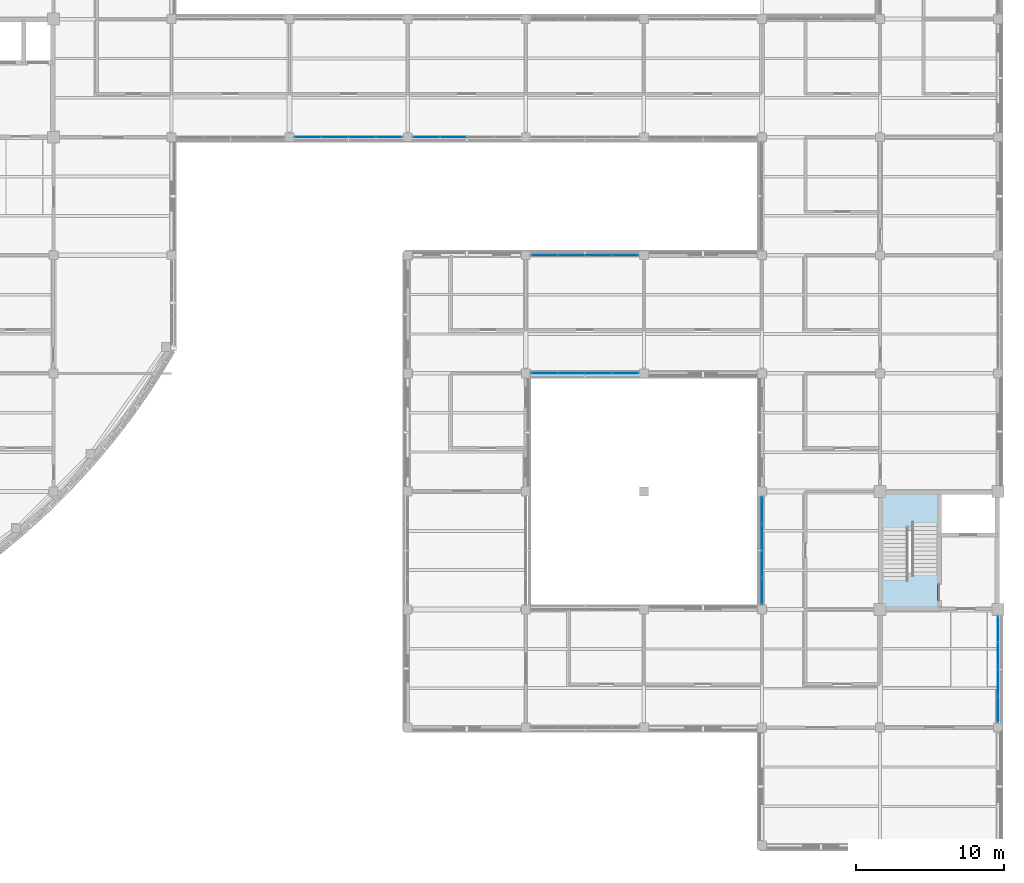
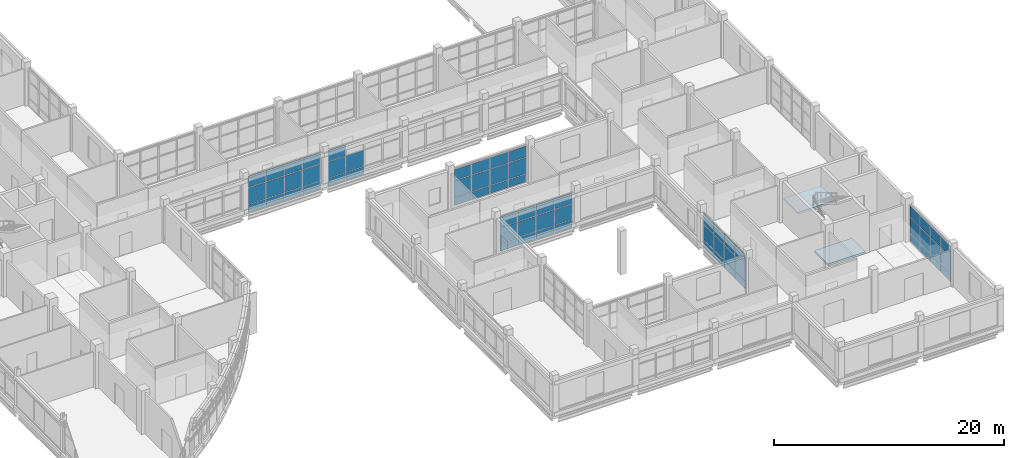
# One storey, part 69 of 121: 65 plates, 2 slabs, 7 elements without a shape of their own.
"""IFC4 building model written with IfcOpenShell, lengths in metres."""

from ifc_helpers import new_model, si_unit, derived_unit, direction, frame, origin, origin_2d, place, context, subcontext, project, spatial, polyline, rectangle, outline, extrude, material, layer, layer_set, type_object, element, aggregate, save


model = new_model("IFC4")

# Units and contexts
model_context = context("Model", 3, precision=1e-05, world=origin(), true_north=direction((0.0, 1.0)))
body_context = subcontext(model_context, "Body", "Model", "MODEL_VIEW")
ifc_project = project(units=[si_unit("LENGTHUNIT", "METRE"), si_unit("AREAUNIT", "SQUARE_METRE"), si_unit("VOLUMEUNIT", "CUBIC_METRE"), si_unit("PLANEANGLEUNIT", "RADIAN"), si_unit("MASSUNIT", "GRAM", prefix="KILO"), derived_unit("THERMALTRANSMITTANCEUNIT", [(si_unit("MASSUNIT", "GRAM", prefix="KILO"), 1), (si_unit("TIMEUNIT", "SECOND"), -3), (si_unit("THERMODYNAMICTEMPERATUREUNIT", "KELVIN"), -1)])], contexts=[model_context])

# Site, building, storey
site_placement = place(None, origin())
site = spatial("IfcSite", under=ifc_project, at=site_placement, CompositionType="ELEMENT")
building_placement = place(site_placement, origin())
building = spatial("IfcBuilding", under=site, at=building_placement, Name="Veyamyaing Civic Hall", CompositionType="ELEMENT")
storey_placement = place(building_placement, frame((0.0, 0.0, 5.280029296875)))
storey = spatial("IfcBuildingStorey", under=building, at=storey_placement, Name="L01", CompositionType="ELEMENT", Elevation=5.280029296875)

# Curtain wall, plates
ifc_material_1 = material(Name="Anodised aluminium 6063-T6", Category="aluminium")
ifc_layer_1 = layer(ifc_material_1, 0.159912109375, Name="Anodised aluminium 6063-T6")
ifc_layer_set_1 = layer_set([ifc_layer_1], Name="Anodised aluminium 6063-T6")
curtain_wall_type = type_object("IfcCurtainWallType", Name="CW-02", PredefinedType="NOTDEFINED", material=ifc_layer_set_1)
curtain_wall_1_placement = place(storey_placement, origin())
curtain_wall_1 = element("IfcCurtainWall", 1, at=curtain_wall_1_placement, inside=storey, type_object=curtain_wall_type, Name="Unitized curtain wall CW-02 L01 S 17.7", PredefinedType="NOTDEFINED")
ifc_material_2 = material(Name="Low-E insulated glass", Category="glass")
ifc_layer_2 = layer(ifc_material_2, 0.028076171875, Name="Low-E insulated glass")
ifc_layer_set_2 = layer_set([ifc_layer_2], Name="Low-E insulated glass")
plate_type_1 = type_object("IfcPlateType", Name="CWP-01", PredefinedType="CURTAIN_PANEL", material=ifc_layer_set_2)
plate_1_placement = place(storey_placement, frame((129.263671875, 48.0, 0.06494140625), z_axis=(0.0, 0.0, 1.0), x_axis=(1.0, 0.0, 0.0)))
plate_1 = element("IfcPlate", 2, at=plate_1_placement, type_object=plate_type_1, Name="CW-02 panel 1.1", PredefinedType="CURTAIN_PANEL", context=body_context, shape_type="SweptSolid", body=[
    extrude(rectangle(XDim=1.737548828125, YDim=0.028076171875, at=origin_2d()), origin(), (0.0, 0.0, 1.0), 0.802490234375),
])
plate_2_placement = place(storey_placement, frame((129.263671875, 48.0, 0.9326171875), z_axis=(0.0, 0.0, 1.0), x_axis=(1.0, 0.0, 0.0)))
plate_2 = element("IfcPlate", 3, at=plate_2_placement, type_object=plate_type_1, Name="CW-02 panel 1.2", PredefinedType="CURTAIN_PANEL", context=body_context, shape_type="SweptSolid", body=[
    extrude(rectangle(XDim=1.737548828125, YDim=0.028076171875, at=origin_2d()), origin(), (0.0, 0.0, 1.0), 1.739501953125),
])
plate_3_placement = place(storey_placement, frame((129.263671875, 48.0, 2.73681640625), z_axis=(0.0, 0.0, 1.0), x_axis=(1.0, 0.0, 0.0)))
plate_3 = element("IfcPlate", 4, at=plate_3_placement, type_object=plate_type_1, Name="CW-02 panel 1.3", PredefinedType="CURTAIN_PANEL", context=body_context, shape_type="SweptSolid", body=[
    extrude(rectangle(XDim=1.737548828125, YDim=0.028076171875, at=origin_2d()), origin(), (0.0, 0.0, 1.0), 1.175048828125),
])
plate_4_placement = place(storey_placement, frame((131.08251953125, 48.0, 0.06494140625), z_axis=(0.0, 0.0, 1.0), x_axis=(1.0, 0.0, 0.0)))
plate_4 = element("IfcPlate", 5, at=plate_4_placement, type_object=plate_type_1, Name="CW-02 panel 2.1", PredefinedType="CURTAIN_PANEL", context=body_context, shape_type="SweptSolid", body=[
    extrude(rectangle(XDim=1.77001953125, YDim=0.028076171875, at=origin_2d()), origin(), (0.0, 0.0, 1.0), 0.802490234375),
])
plate_5_placement = place(storey_placement, frame((131.08251953125, 48.0, 0.9326171875), z_axis=(0.0, 0.0, 1.0), x_axis=(1.0, 0.0, 0.0)))
plate_5 = element("IfcPlate", 6, at=plate_5_placement, type_object=plate_type_1, Name="CW-02 panel 2.2", PredefinedType="CURTAIN_PANEL", context=body_context, shape_type="SweptSolid", body=[
    extrude(rectangle(XDim=1.77001953125, YDim=0.028076171875, at=origin_2d()), origin(), (0.0, 0.0, 1.0), 1.739501953125),
])
plate_6_placement = place(storey_placement, frame((131.08251953125, 48.0, 2.73681640625), z_axis=(0.0, 0.0, 1.0), x_axis=(1.0, 0.0, 0.0)))
plate_6 = element("IfcPlate", 7, at=plate_6_placement, type_object=plate_type_1, Name="CW-02 panel 2.3", PredefinedType="CURTAIN_PANEL", context=body_context, shape_type="SweptSolid", body=[
    extrude(rectangle(XDim=1.77001953125, YDim=0.028076171875, at=origin_2d()), origin(), (0.0, 0.0, 1.0), 1.175048828125),
])
plate_7_placement = place(storey_placement, frame((132.91748046875, 48.0, 0.06494140625), z_axis=(0.0, 0.0, 1.0), x_axis=(1.0, 0.0, 0.0)))
plate_7 = element("IfcPlate", 8, at=plate_7_placement, type_object=plate_type_1, Name="CW-02 panel 3.1", PredefinedType="CURTAIN_PANEL", context=body_context, shape_type="SweptSolid", body=[
    extrude(rectangle(XDim=1.77001953125, YDim=0.028076171875, at=origin_2d()), origin(), (0.0, 0.0, 1.0), 0.802490234375),
])
plate_8_placement = place(storey_placement, frame((132.91748046875, 48.0, 0.9326171875), z_axis=(0.0, 0.0, 1.0), x_axis=(1.0, 0.0, 0.0)))
plate_8 = element("IfcPlate", 9, at=plate_8_placement, type_object=plate_type_1, Name="CW-02 panel 3.2", PredefinedType="CURTAIN_PANEL", context=body_context, shape_type="SweptSolid", body=[
    extrude(rectangle(XDim=1.77001953125, YDim=0.028076171875, at=origin_2d()), origin(), (0.0, 0.0, 1.0), 1.739501953125),
])
plate_9_placement = place(storey_placement, frame((132.91748046875, 48.0, 2.73681640625), z_axis=(0.0, 0.0, 1.0), x_axis=(1.0, 0.0, 0.0)))
plate_9 = element("IfcPlate", 10, at=plate_9_placement, type_object=plate_type_1, Name="CW-02 panel 3.3", PredefinedType="CURTAIN_PANEL", context=body_context, shape_type="SweptSolid", body=[
    extrude(rectangle(XDim=1.77001953125, YDim=0.028076171875, at=origin_2d()), origin(), (0.0, 0.0, 1.0), 1.175048828125),
])
plate_10_placement = place(storey_placement, frame((134.736328125, 48.0, 0.06494140625), z_axis=(0.0, 0.0, 1.0), x_axis=(1.0, 0.0, 0.0)))
plate_10 = element("IfcPlate", 11, at=plate_10_placement, type_object=plate_type_1, Name="CW-02 panel 4.1", PredefinedType="CURTAIN_PANEL", context=body_context, shape_type="SweptSolid", body=[
    extrude(rectangle(XDim=1.737548828125, YDim=0.028076171875, at=origin_2d()), origin(), (0.0, 0.0, 1.0), 0.802490234375),
])
plate_11_placement = place(storey_placement, frame((134.736328125, 48.0, 0.9326171875), z_axis=(0.0, 0.0, 1.0), x_axis=(1.0, 0.0, 0.0)))
plate_11 = element("IfcPlate", 12, at=plate_11_placement, type_object=plate_type_1, Name="CW-02 panel 4.2", PredefinedType="CURTAIN_PANEL", context=body_context, shape_type="SweptSolid", body=[
    extrude(rectangle(XDim=1.737548828125, YDim=0.028076171875, at=origin_2d()), origin(), (0.0, 0.0, 1.0), 1.739501953125),
])
plate_12_placement = place(storey_placement, frame((134.736328125, 48.0, 2.73681640625), z_axis=(0.0, 0.0, 1.0), x_axis=(1.0, 0.0, 0.0)))
plate_12 = element("IfcPlate", 13, at=plate_12_placement, type_object=plate_type_1, Name="CW-02 panel 4.3", PredefinedType="CURTAIN_PANEL", context=body_context, shape_type="SweptSolid", body=[
    extrude(rectangle(XDim=1.737548828125, YDim=0.028076171875, at=origin_2d()), origin(), (0.0, 0.0, 1.0), 1.175048828125),
])
aggregate(curtain_wall_1, [plate_1, plate_2, plate_3, plate_4, plate_5, plate_6, plate_7, plate_8, plate_9, plate_10, plate_11, plate_12])

curtain_wall_2_placement = place(storey_placement, origin())
curtain_wall_2 = element("IfcCurtainWall", 14, at=curtain_wall_2_placement, inside=storey, type_object=curtain_wall_type, Name="Unitized curtain wall CW-02 L01 S 19.5", PredefinedType="NOTDEFINED")
plate_13_placement = place(storey_placement, frame((145.263671875, 32.0, 0.06494140625), z_axis=(0.0, 0.0, 1.0), x_axis=(1.0, 0.0, 0.0)))
plate_13 = element("IfcPlate", 15, at=plate_13_placement, type_object=plate_type_1, Name="CW-02 panel 1.1", PredefinedType="CURTAIN_PANEL", context=body_context, shape_type="SweptSolid", body=[
    extrude(rectangle(XDim=1.737548828125, YDim=0.028076171875, at=origin_2d()), origin(), (0.0, 0.0, 1.0), 0.802490234375),
])
plate_14_placement = place(storey_placement, frame((145.263671875, 32.0, 0.932373046875), z_axis=(0.0, 0.0, 1.0), x_axis=(1.0, 0.0, 0.0)))
plate_14 = element("IfcPlate", 16, at=plate_14_placement, type_object=plate_type_1, Name="CW-02 panel 1.2", PredefinedType="CURTAIN_PANEL", context=body_context, shape_type="SweptSolid", body=[
    extrude(rectangle(XDim=1.737548828125, YDim=0.028076171875, at=origin_2d()), origin(), (0.0, 0.0, 1.0), 1.60400390625),
])
plate_15_placement = place(storey_placement, frame((145.263671875, 32.0, 2.6015625), z_axis=(0.0, 0.0, 1.0), x_axis=(1.0, 0.0, 0.0)))
plate_15 = element("IfcPlate", 17, at=plate_15_placement, type_object=plate_type_1, Name="CW-02 panel 1.3", PredefinedType="CURTAIN_PANEL", context=body_context, shape_type="SweptSolid", body=[
    extrude(rectangle(XDim=1.737548828125, YDim=0.028076171875, at=origin_2d()), origin(), (0.0, 0.0, 1.0), 1.111572265625),
])
plate_16_placement = place(storey_placement, frame((147.08251953125, 32.0, 0.06494140625), z_axis=(0.0, 0.0, 1.0), x_axis=(1.0, 0.0, 0.0)))
plate_16 = element("IfcPlate", 18, at=plate_16_placement, type_object=plate_type_1, Name="CW-02 panel 2.1", PredefinedType="CURTAIN_PANEL", context=body_context, shape_type="SweptSolid", body=[
    extrude(rectangle(XDim=1.77001953125, YDim=0.028076171875, at=origin_2d()), origin(), (0.0, 0.0, 1.0), 0.802490234375),
])
plate_17_placement = place(storey_placement, frame((147.08251953125, 32.0, 0.932373046875), z_axis=(0.0, 0.0, 1.0), x_axis=(1.0, 0.0, 0.0)))
plate_17 = element("IfcPlate", 19, at=plate_17_placement, type_object=plate_type_1, Name="CW-02 panel 2.2", PredefinedType="CURTAIN_PANEL", context=body_context, shape_type="SweptSolid", body=[
    extrude(rectangle(XDim=1.77001953125, YDim=0.028076171875, at=origin_2d()), origin(), (0.0, 0.0, 1.0), 1.60400390625),
])
plate_18_placement = place(storey_placement, frame((147.08251953125, 32.0, 2.6015625), z_axis=(0.0, 0.0, 1.0), x_axis=(1.0, 0.0, 0.0)))
plate_18 = element("IfcPlate", 20, at=plate_18_placement, type_object=plate_type_1, Name="CW-02 panel 2.3", PredefinedType="CURTAIN_PANEL", context=body_context, shape_type="SweptSolid", body=[
    extrude(rectangle(XDim=1.77001953125, YDim=0.028076171875, at=origin_2d()), origin(), (0.0, 0.0, 1.0), 1.111572265625),
])
plate_19_placement = place(storey_placement, frame((148.91748046875, 32.0, 0.06494140625), z_axis=(0.0, 0.0, 1.0), x_axis=(1.0, 0.0, 0.0)))
plate_19 = element("IfcPlate", 21, at=plate_19_placement, type_object=plate_type_1, Name="CW-02 panel 3.1", PredefinedType="CURTAIN_PANEL", context=body_context, shape_type="SweptSolid", body=[
    extrude(rectangle(XDim=1.77001953125, YDim=0.028076171875, at=origin_2d()), origin(), (0.0, 0.0, 1.0), 0.802490234375),
])
plate_20_placement = place(storey_placement, frame((148.91748046875, 32.0, 0.932373046875), z_axis=(0.0, 0.0, 1.0), x_axis=(1.0, 0.0, 0.0)))
plate_20 = element("IfcPlate", 22, at=plate_20_placement, type_object=plate_type_1, Name="CW-02 panel 3.2", PredefinedType="CURTAIN_PANEL", context=body_context, shape_type="SweptSolid", body=[
    extrude(rectangle(XDim=1.77001953125, YDim=0.028076171875, at=origin_2d()), origin(), (0.0, 0.0, 1.0), 1.60400390625),
])
plate_21_placement = place(storey_placement, frame((148.91748046875, 32.0, 2.6015625), z_axis=(0.0, 0.0, 1.0), x_axis=(1.0, 0.0, 0.0)))
plate_21 = element("IfcPlate", 23, at=plate_21_placement, type_object=plate_type_1, Name="CW-02 panel 3.3", PredefinedType="CURTAIN_PANEL", context=body_context, shape_type="SweptSolid", body=[
    extrude(rectangle(XDim=1.77001953125, YDim=0.028076171875, at=origin_2d()), origin(), (0.0, 0.0, 1.0), 1.111572265625),
])
plate_22_placement = place(storey_placement, frame((150.736328125, 32.0, 0.06494140625), z_axis=(0.0, 0.0, 1.0), x_axis=(1.0, 0.0, 0.0)))
plate_22 = element("IfcPlate", 24, at=plate_22_placement, type_object=plate_type_1, Name="CW-02 panel 4.1", PredefinedType="CURTAIN_PANEL", context=body_context, shape_type="SweptSolid", body=[
    extrude(rectangle(XDim=1.737548828125, YDim=0.028076171875, at=origin_2d()), origin(), (0.0, 0.0, 1.0), 0.802490234375),
])
plate_23_placement = place(storey_placement, frame((150.736328125, 32.0, 0.932373046875), z_axis=(0.0, 0.0, 1.0), x_axis=(1.0, 0.0, 0.0)))
plate_23 = element("IfcPlate", 25, at=plate_23_placement, type_object=plate_type_1, Name="CW-02 panel 4.2", PredefinedType="CURTAIN_PANEL", context=body_context, shape_type="SweptSolid", body=[
    extrude(rectangle(XDim=1.737548828125, YDim=0.028076171875, at=origin_2d()), origin(), (0.0, 0.0, 1.0), 1.60400390625),
])
plate_24_placement = place(storey_placement, frame((150.736328125, 32.0, 2.6015625), z_axis=(0.0, 0.0, 1.0), x_axis=(1.0, 0.0, 0.0)))
plate_24 = element("IfcPlate", 26, at=plate_24_placement, type_object=plate_type_1, Name="CW-02 panel 4.3", PredefinedType="CURTAIN_PANEL", context=body_context, shape_type="SweptSolid", body=[
    extrude(rectangle(XDim=1.737548828125, YDim=0.028076171875, at=origin_2d()), origin(), (0.0, 0.0, 1.0), 1.111572265625),
])
aggregate(curtain_wall_2, [plate_13, plate_14, plate_15, plate_16, plate_17, plate_18, plate_19, plate_20, plate_21, plate_22, plate_23, plate_24])

curtain_wall_3_placement = place(storey_placement, origin())
curtain_wall_3 = element("IfcCurtainWall", 27, at=curtain_wall_3_placement, inside=storey, type_object=curtain_wall_type, Name="Unitized curtain wall CW-02 L01 N 19.5", PredefinedType="NOTDEFINED")
plate_25_placement = place(storey_placement, frame((145.263671875, 40.0, 0.06494140625), z_axis=(0.0, 0.0, 1.0), x_axis=(1.0, 0.0, 0.0)))
plate_25 = element("IfcPlate", 28, at=plate_25_placement, type_object=plate_type_1, Name="CW-02 panel 1.1", PredefinedType="CURTAIN_PANEL", context=body_context, shape_type="SweptSolid", body=[
    extrude(rectangle(XDim=1.737548828125, YDim=0.028076171875, at=origin_2d()), origin(), (0.0, 0.0, 1.0), 0.802490234375),
])
plate_26_placement = place(storey_placement, frame((145.263671875, 40.0, 0.932373046875), z_axis=(0.0, 0.0, 1.0), x_axis=(1.0, 0.0, 0.0)))
plate_26 = element("IfcPlate", 29, at=plate_26_placement, type_object=plate_type_1, Name="CW-02 panel 1.2", PredefinedType="CURTAIN_PANEL", context=body_context, shape_type="SweptSolid", body=[
    extrude(rectangle(XDim=1.737548828125, YDim=0.028076171875, at=origin_2d()), origin(), (0.0, 0.0, 1.0), 1.69384765625),
])
plate_27_placement = place(storey_placement, frame((145.263671875, 40.0, 2.691162109375), z_axis=(0.0, 0.0, 1.0), x_axis=(1.0, 0.0, 0.0)))
plate_27 = element("IfcPlate", 30, at=plate_27_placement, type_object=plate_type_1, Name="CW-02 panel 1.3", PredefinedType="CURTAIN_PANEL", context=body_context, shape_type="SweptSolid", body=[
    extrude(rectangle(XDim=1.737548828125, YDim=0.028076171875, at=origin_2d()), origin(), (0.0, 0.0, 1.0), 1.15380859375),
])
plate_28_placement = place(storey_placement, frame((147.08251953125, 40.0, 0.06494140625), z_axis=(0.0, 0.0, 1.0), x_axis=(1.0, 0.0, 0.0)))
plate_28 = element("IfcPlate", 31, at=plate_28_placement, type_object=plate_type_1, Name="CW-02 panel 2.1", PredefinedType="CURTAIN_PANEL", context=body_context, shape_type="SweptSolid", body=[
    extrude(rectangle(XDim=1.77001953125, YDim=0.028076171875, at=origin_2d()), origin(), (0.0, 0.0, 1.0), 0.802490234375),
])
plate_29_placement = place(storey_placement, frame((147.08251953125, 40.0, 0.932373046875), z_axis=(0.0, 0.0, 1.0), x_axis=(1.0, 0.0, 0.0)))
plate_29 = element("IfcPlate", 32, at=plate_29_placement, type_object=plate_type_1, Name="CW-02 panel 2.2", PredefinedType="CURTAIN_PANEL", context=body_context, shape_type="SweptSolid", body=[
    extrude(rectangle(XDim=1.77001953125, YDim=0.028076171875, at=origin_2d()), origin(), (0.0, 0.0, 1.0), 1.69384765625),
])
plate_30_placement = place(storey_placement, frame((147.08251953125, 40.0, 2.691162109375), z_axis=(0.0, 0.0, 1.0), x_axis=(1.0, 0.0, 0.0)))
plate_30 = element("IfcPlate", 33, at=plate_30_placement, type_object=plate_type_1, Name="CW-02 panel 2.3", PredefinedType="CURTAIN_PANEL", context=body_context, shape_type="SweptSolid", body=[
    extrude(rectangle(XDim=1.77001953125, YDim=0.028076171875, at=origin_2d()), origin(), (0.0, 0.0, 1.0), 1.15380859375),
])
plate_31_placement = place(storey_placement, frame((148.91748046875, 40.0, 0.06494140625), z_axis=(0.0, 0.0, 1.0), x_axis=(1.0, 0.0, 0.0)))
plate_31 = element("IfcPlate", 34, at=plate_31_placement, type_object=plate_type_1, Name="CW-02 panel 3.1", PredefinedType="CURTAIN_PANEL", context=body_context, shape_type="SweptSolid", body=[
    extrude(rectangle(XDim=1.77001953125, YDim=0.028076171875, at=origin_2d()), origin(), (0.0, 0.0, 1.0), 0.802490234375),
])
plate_32_placement = place(storey_placement, frame((148.91748046875, 40.0, 0.932373046875), z_axis=(0.0, 0.0, 1.0), x_axis=(1.0, 0.0, 0.0)))
plate_32 = element("IfcPlate", 35, at=plate_32_placement, type_object=plate_type_1, Name="CW-02 panel 3.2", PredefinedType="CURTAIN_PANEL", context=body_context, shape_type="SweptSolid", body=[
    extrude(rectangle(XDim=1.77001953125, YDim=0.028076171875, at=origin_2d()), origin(), (0.0, 0.0, 1.0), 1.69384765625),
])
plate_33_placement = place(storey_placement, frame((148.91748046875, 40.0, 2.691162109375), z_axis=(0.0, 0.0, 1.0), x_axis=(1.0, 0.0, 0.0)))
plate_33 = element("IfcPlate", 36, at=plate_33_placement, type_object=plate_type_1, Name="CW-02 panel 3.3", PredefinedType="CURTAIN_PANEL", context=body_context, shape_type="SweptSolid", body=[
    extrude(rectangle(XDim=1.77001953125, YDim=0.028076171875, at=origin_2d()), origin(), (0.0, 0.0, 1.0), 1.15380859375),
])
plate_34_placement = place(storey_placement, frame((150.736328125, 40.0, 0.06494140625), z_axis=(0.0, 0.0, 1.0), x_axis=(1.0, 0.0, 0.0)))
plate_34 = element("IfcPlate", 37, at=plate_34_placement, type_object=plate_type_1, Name="CW-02 panel 4.1", PredefinedType="CURTAIN_PANEL", context=body_context, shape_type="SweptSolid", body=[
    extrude(rectangle(XDim=1.737548828125, YDim=0.028076171875, at=origin_2d()), origin(), (0.0, 0.0, 1.0), 0.802490234375),
])
plate_35_placement = place(storey_placement, frame((150.736328125, 40.0, 0.932373046875), z_axis=(0.0, 0.0, 1.0), x_axis=(1.0, 0.0, 0.0)))
plate_35 = element("IfcPlate", 38, at=plate_35_placement, type_object=plate_type_1, Name="CW-02 panel 4.2", PredefinedType="CURTAIN_PANEL", context=body_context, shape_type="SweptSolid", body=[
    extrude(rectangle(XDim=1.737548828125, YDim=0.028076171875, at=origin_2d()), origin(), (0.0, 0.0, 1.0), 1.69384765625),
])
plate_36_placement = place(storey_placement, frame((150.736328125, 40.0, 2.691162109375), z_axis=(0.0, 0.0, 1.0), x_axis=(1.0, 0.0, 0.0)))
plate_36 = element("IfcPlate", 39, at=plate_36_placement, type_object=plate_type_1, Name="CW-02 panel 4.3", PredefinedType="CURTAIN_PANEL", context=body_context, shape_type="SweptSolid", body=[
    extrude(rectangle(XDim=1.737548828125, YDim=0.028076171875, at=origin_2d()), origin(), (0.0, 0.0, 1.0), 1.15380859375),
])
aggregate(curtain_wall_3, [plate_25, plate_26, plate_27, plate_28, plate_29, plate_30, plate_31, plate_32, plate_33, plate_34, plate_35, plate_36])

curtain_wall_4_placement = place(storey_placement, origin())
curtain_wall_4 = element("IfcCurtainWall", 40, at=curtain_wall_4_placement, inside=storey, type_object=curtain_wall_type, Name="Unitized curtain wall CW-02 L01 W 21.3", PredefinedType="NOTDEFINED")
plate_37_placement = place(storey_placement, frame((160.0, 17.263671875, 0.06494140625), z_axis=(0.0, 0.0, 1.0), x_axis=(0.0, 1.0, 0.0)))
plate_37 = element("IfcPlate", 41, at=plate_37_placement, type_object=plate_type_1, Name="CW-02 panel 1.1", PredefinedType="CURTAIN_PANEL", context=body_context, shape_type="SweptSolid", body=[
    extrude(rectangle(XDim=1.737548828125, YDim=0.028076171875, at=origin_2d()), origin(), (0.0, 0.0, 1.0), 0.802490234375),
])
plate_38_placement = place(storey_placement, frame((160.0, 17.263671875, 0.932373046875), z_axis=(0.0, 0.0, 1.0), x_axis=(0.0, 1.0, 0.0)))
plate_38 = element("IfcPlate", 42, at=plate_38_placement, type_object=plate_type_1, Name="CW-02 panel 1.2", PredefinedType="CURTAIN_PANEL", context=body_context, shape_type="SweptSolid", body=[
    extrude(rectangle(XDim=1.737548828125, YDim=0.028076171875, at=origin_2d()), origin(), (0.0, 0.0, 1.0), 1.61083984375),
])
plate_39_placement = place(storey_placement, frame((160.0, 17.263671875, 2.608154296875), z_axis=(0.0, 0.0, 1.0), x_axis=(0.0, 1.0, 0.0)))
plate_39 = element("IfcPlate", 43, at=plate_39_placement, type_object=plate_type_1, Name="CW-02 panel 1.3", PredefinedType="CURTAIN_PANEL", context=body_context, shape_type="SweptSolid", body=[
    extrude(rectangle(XDim=1.737548828125, YDim=0.028076171875, at=origin_2d()), origin(), (0.0, 0.0, 1.0), 1.11474609375),
])
plate_40_placement = place(storey_placement, frame((160.0, 19.08251953125, 0.06494140625), z_axis=(0.0, 0.0, 1.0), x_axis=(0.0, 1.0, 0.0)))
plate_40 = element("IfcPlate", 44, at=plate_40_placement, type_object=plate_type_1, Name="CW-02 panel 2.1", PredefinedType="CURTAIN_PANEL", context=body_context, shape_type="SweptSolid", body=[
    extrude(rectangle(XDim=1.77001953125, YDim=0.028076171875, at=origin_2d()), origin(), (0.0, 0.0, 1.0), 0.802490234375),
])
plate_41_placement = place(storey_placement, frame((160.0, 19.08251953125, 0.932373046875), z_axis=(0.0, 0.0, 1.0), x_axis=(0.0, 1.0, 0.0)))
plate_41 = element("IfcPlate", 45, at=plate_41_placement, type_object=plate_type_1, Name="CW-02 panel 2.2", PredefinedType="CURTAIN_PANEL", context=body_context, shape_type="SweptSolid", body=[
    extrude(rectangle(XDim=1.77001953125, YDim=0.028076171875, at=origin_2d()), origin(), (0.0, 0.0, 1.0), 1.61083984375),
])
plate_42_placement = place(storey_placement, frame((160.0, 19.08251953125, 2.608154296875), z_axis=(0.0, 0.0, 1.0), x_axis=(0.0, 1.0, 0.0)))
plate_42 = element("IfcPlate", 46, at=plate_42_placement, type_object=plate_type_1, Name="CW-02 panel 2.3", PredefinedType="CURTAIN_PANEL", context=body_context, shape_type="SweptSolid", body=[
    extrude(rectangle(XDim=1.77001953125, YDim=0.028076171875, at=origin_2d()), origin(), (0.0, 0.0, 1.0), 1.11474609375),
])
plate_43_placement = place(storey_placement, frame((160.0, 20.91748046875, 0.06494140625), z_axis=(0.0, 0.0, 1.0), x_axis=(0.0, 1.0, 0.0)))
plate_43 = element("IfcPlate", 47, at=plate_43_placement, type_object=plate_type_1, Name="CW-02 panel 3.1", PredefinedType="CURTAIN_PANEL", context=body_context, shape_type="SweptSolid", body=[
    extrude(rectangle(XDim=1.77001953125, YDim=0.028076171875, at=origin_2d()), origin(), (0.0, 0.0, 1.0), 0.802490234375),
])
plate_44_placement = place(storey_placement, frame((160.0, 20.91748046875, 0.932373046875), z_axis=(0.0, 0.0, 1.0), x_axis=(0.0, 1.0, 0.0)))
plate_44 = element("IfcPlate", 48, at=plate_44_placement, type_object=plate_type_1, Name="CW-02 panel 3.2", PredefinedType="CURTAIN_PANEL", context=body_context, shape_type="SweptSolid", body=[
    extrude(rectangle(XDim=1.77001953125, YDim=0.028076171875, at=origin_2d()), origin(), (0.0, 0.0, 1.0), 1.61083984375),
])
plate_45_placement = place(storey_placement, frame((160.0, 20.91748046875, 2.608154296875), z_axis=(0.0, 0.0, 1.0), x_axis=(0.0, 1.0, 0.0)))
plate_45 = element("IfcPlate", 49, at=plate_45_placement, type_object=plate_type_1, Name="CW-02 panel 3.3", PredefinedType="CURTAIN_PANEL", context=body_context, shape_type="SweptSolid", body=[
    extrude(rectangle(XDim=1.77001953125, YDim=0.028076171875, at=origin_2d()), origin(), (0.0, 0.0, 1.0), 1.11474609375),
])
plate_46_placement = place(storey_placement, frame((160.0, 22.736328125, 0.06494140625), z_axis=(0.0, 0.0, 1.0), x_axis=(0.0, 1.0, 0.0)))
plate_46 = element("IfcPlate", 50, at=plate_46_placement, type_object=plate_type_1, Name="CW-02 panel 4.1", PredefinedType="CURTAIN_PANEL", context=body_context, shape_type="SweptSolid", body=[
    extrude(rectangle(XDim=1.737548828125, YDim=0.028076171875, at=origin_2d()), origin(), (0.0, 0.0, 1.0), 0.802490234375),
])
plate_47_placement = place(storey_placement, frame((160.0, 22.736328125, 0.932373046875), z_axis=(0.0, 0.0, 1.0), x_axis=(0.0, 1.0, 0.0)))
plate_47 = element("IfcPlate", 51, at=plate_47_placement, type_object=plate_type_1, Name="CW-02 panel 4.2", PredefinedType="CURTAIN_PANEL", context=body_context, shape_type="SweptSolid", body=[
    extrude(rectangle(XDim=1.737548828125, YDim=0.028076171875, at=origin_2d()), origin(), (0.0, 0.0, 1.0), 1.61083984375),
])
plate_48_placement = place(storey_placement, frame((160.0, 22.736328125, 2.608154296875), z_axis=(0.0, 0.0, 1.0), x_axis=(0.0, 1.0, 0.0)))
plate_48 = element("IfcPlate", 52, at=plate_48_placement, type_object=plate_type_1, Name="CW-02 panel 4.3", PredefinedType="CURTAIN_PANEL", context=body_context, shape_type="SweptSolid", body=[
    extrude(rectangle(XDim=1.737548828125, YDim=0.028076171875, at=origin_2d()), origin(), (0.0, 0.0, 1.0), 1.11474609375),
])
aggregate(curtain_wall_4, [plate_37, plate_38, plate_39, plate_40, plate_41, plate_42, plate_43, plate_44, plate_45, plate_46, plate_47, plate_48])

curtain_wall_5_placement = place(storey_placement, origin())
curtain_wall_5 = element("IfcCurtainWall", 53, at=curtain_wall_5_placement, inside=storey, type_object=curtain_wall_type, Name="Unitized curtain wall CW-02 L01 E 22.2", PredefinedType="NOTDEFINED")
plate_49_placement = place(storey_placement, frame((176.0, 9.251220703125, 0.06494140625), z_axis=(0.0, 0.0, 1.0), x_axis=(0.0, 1.0, 0.0)))
plate_49 = element("IfcPlate", 54, at=plate_49_placement, type_object=plate_type_1, Name="CW-02 panel 1.1", PredefinedType="CURTAIN_PANEL", context=body_context, shape_type="SweptSolid", body=[
    extrude(rectangle(XDim=1.71240234375, YDim=0.028076171875, at=origin_2d()), origin(), (0.0, 0.0, 1.0), 0.802490234375),
])
plate_50_placement = place(storey_placement, frame((176.0, 9.251220703125, 0.932373046875), z_axis=(0.0, 0.0, 1.0), x_axis=(0.0, 1.0, 0.0)))
plate_50 = element("IfcPlate", 55, at=plate_50_placement, type_object=plate_type_1, Name="CW-02 panel 1.2", PredefinedType="CURTAIN_PANEL", context=body_context, shape_type="SweptSolid", body=[
    extrude(rectangle(XDim=1.71240234375, YDim=0.028076171875, at=origin_2d()), origin(), (0.0, 0.0, 1.0), 1.69384765625),
])
plate_51_placement = place(storey_placement, frame((176.0, 9.251220703125, 2.691162109375), z_axis=(0.0, 0.0, 1.0), x_axis=(0.0, 1.0, 0.0)))
plate_51 = element("IfcPlate", 56, at=plate_51_placement, type_object=plate_type_1, Name="CW-02 panel 1.3", PredefinedType="CURTAIN_PANEL", context=body_context, shape_type="SweptSolid", body=[
    extrude(rectangle(XDim=1.71240234375, YDim=0.028076171875, at=origin_2d()), origin(), (0.0, 0.0, 1.0), 1.15380859375),
])
plate_52_placement = place(storey_placement, frame((176.0, 11.044921875, 0.06494140625), z_axis=(0.0, 0.0, 1.0), x_axis=(0.0, 1.0, 0.0)))
plate_52 = element("IfcPlate", 57, at=plate_52_placement, type_object=plate_type_1, Name="CW-02 panel 2.1", PredefinedType="CURTAIN_PANEL", context=body_context, shape_type="SweptSolid", body=[
    extrude(rectangle(XDim=1.7451171875, YDim=0.028076171875, at=origin_2d()), origin(), (0.0, 0.0, 1.0), 0.802490234375),
])
plate_53_placement = place(storey_placement, frame((176.0, 11.044921875, 0.932373046875), z_axis=(0.0, 0.0, 1.0), x_axis=(0.0, 1.0, 0.0)))
plate_53 = element("IfcPlate", 58, at=plate_53_placement, type_object=plate_type_1, Name="CW-02 panel 2.2", PredefinedType="CURTAIN_PANEL", context=body_context, shape_type="SweptSolid", body=[
    extrude(rectangle(XDim=1.7451171875, YDim=0.028076171875, at=origin_2d()), origin(), (0.0, 0.0, 1.0), 1.69384765625),
])
plate_54_placement = place(storey_placement, frame((176.0, 11.044921875, 2.691162109375), z_axis=(0.0, 0.0, 1.0), x_axis=(0.0, 1.0, 0.0)))
plate_54 = element("IfcPlate", 59, at=plate_54_placement, type_object=plate_type_1, Name="CW-02 panel 2.3", PredefinedType="CURTAIN_PANEL", context=body_context, shape_type="SweptSolid", body=[
    extrude(rectangle(XDim=1.7451171875, YDim=0.028076171875, at=origin_2d()), origin(), (0.0, 0.0, 1.0), 1.15380859375),
])
plate_55_placement = place(storey_placement, frame((176.0, 12.85498046875, 0.06494140625), z_axis=(0.0, 0.0, 1.0), x_axis=(0.0, 1.0, 0.0)))
plate_55 = element("IfcPlate", 60, at=plate_55_placement, type_object=plate_type_1, Name="CW-02 panel 3.1", PredefinedType="CURTAIN_PANEL", context=body_context, shape_type="SweptSolid", body=[
    extrude(rectangle(XDim=1.7451171875, YDim=0.028076171875, at=origin_2d()), origin(), (0.0, 0.0, 1.0), 0.802490234375),
])
plate_56_placement = place(storey_placement, frame((176.0, 12.85498046875, 0.932373046875), z_axis=(0.0, 0.0, 1.0), x_axis=(0.0, 1.0, 0.0)))
plate_56 = element("IfcPlate", 61, at=plate_56_placement, type_object=plate_type_1, Name="CW-02 panel 3.2", PredefinedType="CURTAIN_PANEL", context=body_context, shape_type="SweptSolid", body=[
    extrude(rectangle(XDim=1.7451171875, YDim=0.028076171875, at=origin_2d()), origin(), (0.0, 0.0, 1.0), 1.69384765625),
])
plate_57_placement = place(storey_placement, frame((176.0, 12.85498046875, 2.691162109375), z_axis=(0.0, 0.0, 1.0), x_axis=(0.0, 1.0, 0.0)))
plate_57 = element("IfcPlate", 62, at=plate_57_placement, type_object=plate_type_1, Name="CW-02 panel 3.3", PredefinedType="CURTAIN_PANEL", context=body_context, shape_type="SweptSolid", body=[
    extrude(rectangle(XDim=1.7451171875, YDim=0.028076171875, at=origin_2d()), origin(), (0.0, 0.0, 1.0), 1.15380859375),
])
plate_58_placement = place(storey_placement, frame((176.0, 14.648681640625, 0.06494140625), z_axis=(0.0, 0.0, 1.0), x_axis=(0.0, 1.0, 0.0)))
plate_58 = element("IfcPlate", 63, at=plate_58_placement, type_object=plate_type_1, Name="CW-02 panel 4.1", PredefinedType="CURTAIN_PANEL", context=body_context, shape_type="SweptSolid", body=[
    extrude(rectangle(XDim=1.71240234375, YDim=0.028076171875, at=origin_2d()), origin(), (0.0, 0.0, 1.0), 0.802490234375),
])
plate_59_placement = place(storey_placement, frame((176.0, 14.648681640625, 0.932373046875), z_axis=(0.0, 0.0, 1.0), x_axis=(0.0, 1.0, 0.0)))
plate_59 = element("IfcPlate", 64, at=plate_59_placement, type_object=plate_type_1, Name="CW-02 panel 4.2", PredefinedType="CURTAIN_PANEL", context=body_context, shape_type="SweptSolid", body=[
    extrude(rectangle(XDim=1.71240234375, YDim=0.028076171875, at=origin_2d()), origin(), (0.0, 0.0, 1.0), 1.69384765625),
])
plate_60_placement = place(storey_placement, frame((176.0, 14.648681640625, 2.691162109375), z_axis=(0.0, 0.0, 1.0), x_axis=(0.0, 1.0, 0.0)))
plate_60 = element("IfcPlate", 65, at=plate_60_placement, type_object=plate_type_1, Name="CW-02 panel 4.3", PredefinedType="CURTAIN_PANEL", context=body_context, shape_type="SweptSolid", body=[
    extrude(rectangle(XDim=1.71240234375, YDim=0.028076171875, at=origin_2d()), origin(), (0.0, 0.0, 1.0), 1.15380859375),
])
aggregate(curtain_wall_5, [plate_49, plate_50, plate_51, plate_52, plate_53, plate_54, plate_55, plate_56, plate_57, plate_58, plate_59, plate_60])

curtain_wall_6_placement = place(storey_placement, origin())
curtain_wall_6 = element("IfcCurtainWall", 66, at=curtain_wall_6_placement, inside=storey, type_object=curtain_wall_type, Name="Unitized curtain wall CW-02 L01 S 18.7", PredefinedType="NOTDEFINED")
ifc_layer_3 = layer(ifc_material_2, 0.031982421875, Name="Low-E insulated glass")
ifc_layer_set_3 = layer_set([ifc_layer_3], Name="Low-E insulated glass")
plate_type_2 = type_object("IfcPlateType", Name="CWP-02", PredefinedType="CURTAIN_PANEL", material=ifc_layer_set_3)
plate_61_placement = place(storey_placement, frame((137.263671875, 48.0, 0.06494140625), z_axis=(0.0, 0.0, 1.0), x_axis=(1.0, 0.0, 0.0)))
plate_61 = element("IfcPlate", 67, at=plate_61_placement, type_object=plate_type_2, Name="CW-02 panel 1.1", PredefinedType="CURTAIN_PANEL", context=body_context, shape_type="SweptSolid", body=[
    extrude(rectangle(XDim=1.737548828125, YDim=0.031982421875, at=origin_2d()), origin(), (0.0, 0.0, 1.0), 0.802490234375),
])
plate_62_placement = place(storey_placement, frame((137.263671875, 48.0, 0.932373046875), z_axis=(0.0, 0.0, 1.0), x_axis=(1.0, 0.0, 0.0)))
plate_62 = element("IfcPlate", 68, at=plate_62_placement, type_object=plate_type_2, Name="CW-02 panel 1.2", PredefinedType="CURTAIN_PANEL", context=body_context, shape_type="SweptSolid", body=[
    extrude(rectangle(XDim=1.737548828125, YDim=0.031982421875, at=origin_2d()), origin(), (0.0, 0.0, 1.0), 1.69384765625),
])
plate_63_placement = place(storey_placement, frame((137.263671875, 48.0, 2.691162109375), z_axis=(0.0, 0.0, 1.0), x_axis=(1.0, 0.0, 0.0)))
plate_63 = element("IfcPlate", 69, at=plate_63_placement, type_object=plate_type_2, Name="CW-02 panel 1.3", PredefinedType="CURTAIN_PANEL", context=body_context, shape_type="SweptSolid", body=[
    extrude(rectangle(XDim=1.737548828125, YDim=0.031982421875, at=origin_2d()), origin(), (0.0, 0.0, 1.0), 1.15380859375),
])
plate_64_placement = place(storey_placement, frame((139.08251953125, 48.0, 0.06494140625), z_axis=(0.0, 0.0, 1.0), x_axis=(1.0, 0.0, 0.0)))
plate_64 = element("IfcPlate", 70, at=plate_64_placement, type_object=plate_type_2, Name="CW-02 panel 2.1", PredefinedType="CURTAIN_PANEL", context=body_context, shape_type="SweptSolid", body=[
    extrude(rectangle(XDim=1.77001953125, YDim=0.031982421875, at=origin_2d()), origin(), (0.0, 0.0, 1.0), 0.802490234375),
])
plate_65_placement = place(storey_placement, frame((139.08251953125, 48.0, 0.932373046875), z_axis=(0.0, 0.0, 1.0), x_axis=(1.0, 0.0, 0.0)))
plate_65 = element("IfcPlate", 71, at=plate_65_placement, type_object=plate_type_2, Name="CW-02 panel 2.2", PredefinedType="CURTAIN_PANEL", context=body_context, shape_type="SweptSolid", body=[
    extrude(rectangle(XDim=1.77001953125, YDim=0.031982421875, at=origin_2d()), origin(), (0.0, 0.0, 1.0), 1.69384765625),
])
aggregate(curtain_wall_6, [plate_61, plate_62, plate_63, plate_64, plate_65])

# Slab
ifc_material_3 = material(Name="Concrete C40/50", Category="concrete")
ifc_layer_4 = layer(ifc_material_3, 0.199951171875, Name="Concrete C40/50")
ifc_layer_set_4 = layer_set([ifc_layer_4], Name="Concrete C40/50")
slab_type_1 = type_object("IfcSlabType", Name="SL-16", PredefinedType="FLOOR", material=ifc_layer_set_4)
slab_1_placement = place(storey_placement, frame((0.0, 0.0, -0.199951171875)))
element("IfcSlab", 72, at=slab_1_placement, inside=storey, type_object=slab_type_1, Name="Stair floor landing slab SL-16 ST-10 L01", PredefinedType="FLOOR", context=body_context, shape_type="SweptSolid", body=[
    extrude(outline(polyline([(168.139892578125, 16.139892578125), (171.909912109375, 16.139892578125), (171.909912109375, 18.52001953125), (168.139892578125, 18.52001953125), (168.139892578125, 16.139892578125)])), origin(), (0.0, 0.0, 1.0), 0.199951171875),
])

# Stair, slab
stair_type = type_object("IfcStairType", Name="ST-C", PredefinedType="HALF_TURN_STAIR", material=ifc_material_3)
stair_placement = place(storey_placement, origin())
stair = element("IfcStair", 73, at=stair_placement, inside=storey, type_object=stair_type, Name="Protected exit stair ST-10 L01", PredefinedType="HALF_TURN_STAIR")
ifc_layer_5 = layer(ifc_material_3, 0.195068359375, Name="Concrete C40/50")
ifc_layer_set_5 = layer_set([ifc_layer_5], Name="Concrete C40/50")
slab_type_2 = type_object("IfcSlabType", Name="SL-LND", PredefinedType="LANDING", material=ifc_layer_set_5)
slab_2_placement = place(storey_placement, frame((0.0, 0.0, 2.114990234375)))
slab_2 = element("IfcSlab", 74, at=slab_2_placement, type_object=slab_type_2, Name="ST-10 landing 1", PredefinedType="LANDING", context=body_context, shape_type="SweptSolid", body=[
    extrude(outline(polyline([(168.139892578125, 21.35009765625), (171.909912109375, 21.35009765625), (171.909912109375, 23.860107421875), (168.139892578125, 23.860107421875), (168.139892578125, 21.35009765625)])), origin(), (0.0, 0.0, 1.0), 0.195068359375),
])
aggregate(stair, [slab_2])

save(model, "model.ifc")
